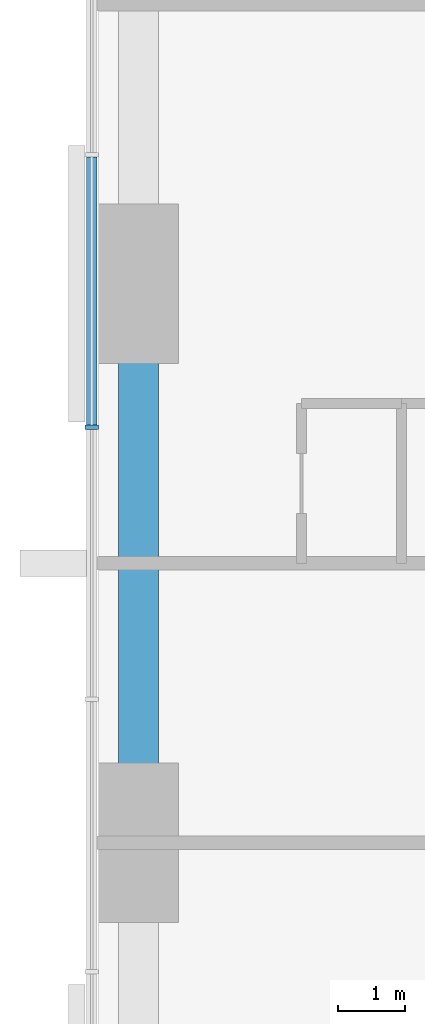
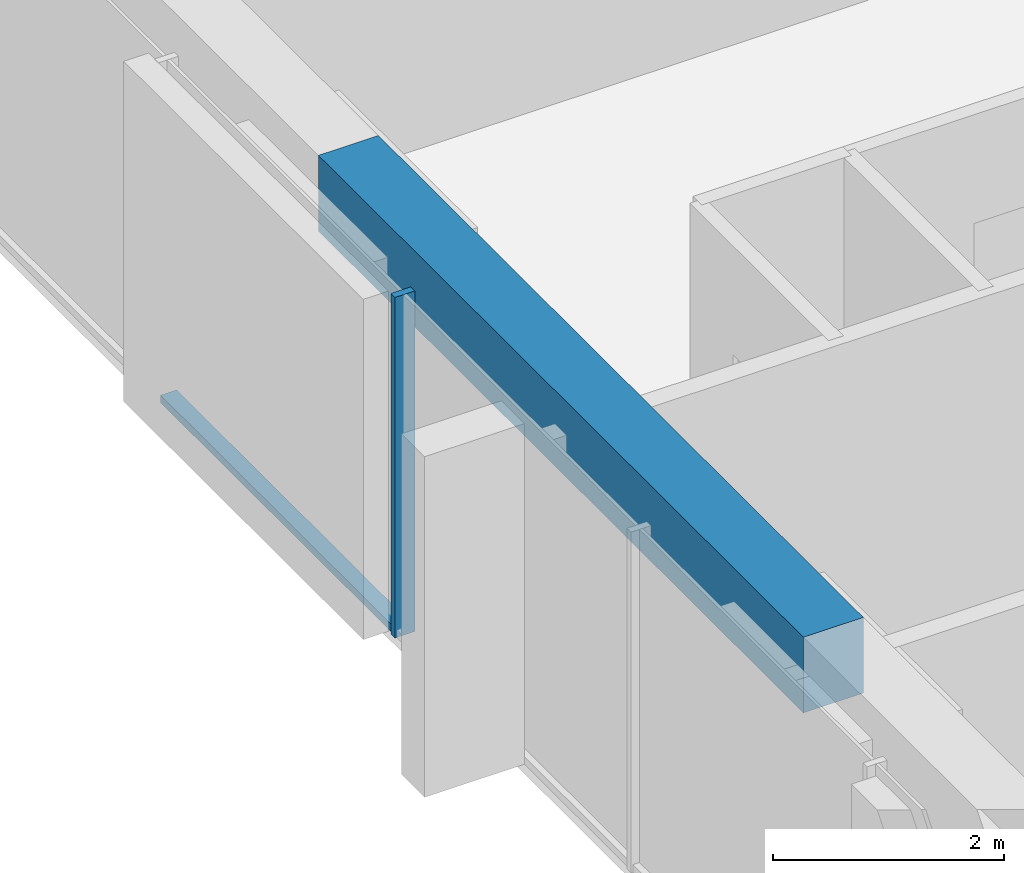
# One storey, part 3 of 14: 2 members, 1 beam, 1 element without a shape of its own.
"""IFC4 building model written with IfcOpenShell, lengths in metres."""

from ifc_helpers import new_model, si_unit, direction, frame, origin, origin_2d, place, context, subcontext, project, spatial, rectangle, extrude, material, material_profile, profile_set, type_object, element, aggregate, save


model = new_model("IFC4")

# Units and contexts
model_context = context("Model", 3, precision=1e-05, world=origin(), true_north=direction((0.0, 1.0)))
body_context = subcontext(model_context, "Body", "Model", "MODEL_VIEW")
ifc_project = project(units=[si_unit("LENGTHUNIT", "METRE"), si_unit("AREAUNIT", "SQUARE_METRE"), si_unit("VOLUMEUNIT", "CUBIC_METRE"), si_unit("PLANEANGLEUNIT", "RADIAN"), si_unit("MASSUNIT", "GRAM", prefix="KILO")], contexts=[model_context])

# Site, building, storey
site_placement = place(None, origin())
site = spatial("IfcSite", under=ifc_project, at=site_placement, CompositionType="ELEMENT")
building_placement = place(site_placement, origin())
building = spatial("IfcBuilding", under=site, at=building_placement, Name="Dunama Terrace Hotel", CompositionType="ELEMENT")
storey_placement = place(building_placement, frame((0.0, 0.0, 177.0)))
storey = spatial("IfcBuildingStorey", under=building, at=storey_placement, Name="L45", CompositionType="ELEMENT", Elevation=177.0)

# Curtain wall, members
ifc_material_1 = material(Name="Aluminium curtain wall system", Category="aluminium")
curtain_wall_type = type_object("IfcCurtainWallType", Name="Unitised fritted glass wall CW-C", PredefinedType="NOTDEFINED", material=ifc_material_1)
curtain_wall_placement = place(storey_placement, origin())
curtain_wall = element("IfcCurtainWall", 1, at=curtain_wall_placement, inside=storey, type_object=curtain_wall_type, Name="Unitised fritted glass wall CW-C L45", PredefinedType="NOTDEFINED")
ifc_material_2 = material(Name="Aluminium mullion", Category="aluminium")
ifc_material_profile_1 = material_profile(ifc_material_2, rectangle(XDim=0.070068359375, YDim=0.199951171875, at=origin_2d()), Name="CWC MULLION 70X200")
ifc_profile_set_1 = profile_set([ifc_material_profile_1], Name="Aluminium mullion")
member_type_1 = type_object("IfcMemberType", Name="CWC mullion 70x200", PredefinedType="MULLION", material=ifc_profile_set_1)
member_1_placement = place(storey_placement, frame((4.10009765625, 31.445068359375, 0.0), z_axis=(0.0, 0.0, 1.0), x_axis=(0.0, -1.0, 0.0)))
member_1 = element("IfcMember", 2, at=member_1_placement, type_object=member_type_1, Name="CWC mullion", PredefinedType="MULLION", context=body_context, shape_type="SweptSolid", body=[
    extrude(rectangle(XDim=0.070068359375, YDim=0.199951171875, at=origin_2d()), origin(), (0.0, 0.0, 1.0), 3.60009765625),
])
ifc_material_3 = material(Name="Aluminium transom", Category="aluminium")
ifc_material_profile_2 = material_profile(ifc_material_3, rectangle(XDim=0.159912109375, YDim=0.080078125, at=origin_2d()), Name="CWC TRANSOM 160X80")
ifc_profile_set_2 = profile_set([ifc_material_profile_2], Name="Aluminium transom")
member_type_2 = type_object("IfcMemberType", Name="CWC transom 160x80", PredefinedType="USERDEFINED", material=ifc_profile_set_2)
member_2_placement = place(storey_placement, frame((4.10009765625, 35.5009765625, 0.0400390625), z_axis=(0.0, -1.0, 0.0), x_axis=(1.0, 0.0, 0.0)))
member_2 = element("IfcMember", 3, at=member_2_placement, type_object=member_type_2, Name="CWC transom", ObjectType="TRANSOM", PredefinedType="USERDEFINED", context=body_context, shape_type="SweptSolid", body=[
    extrude(rectangle(XDim=0.159912109375, YDim=0.080078125, at=origin_2d()), origin(), (0.0, 0.0, 1.0), 4.02099609375),
])
aggregate(curtain_wall, [member_1, member_2])

# Beam
ifc_material_4 = material(Name="Concrete C40/50", Category="concrete")
ifc_material_profile_3 = material_profile(ifc_material_4, rectangle(XDim=0.60009765625, YDim=0.800048828125, at=origin_2d()), Name="RC 600x800")
ifc_profile_set_3 = profile_set([ifc_material_profile_3], Name="Concrete C40/50")
beam_type = type_object("IfcBeamType", Name="Edge beam RC 600x800", PredefinedType="SPANDREL", material=ifc_profile_set_3)
beam_placement = place(storey_placement, frame((4.800048828125, 25.199951171875, 3.199951171875), z_axis=(0.0, 1.0, 0.0), x_axis=(-1.0, 0.0, 0.0)))
element("IfcBeam", 4, at=beam_placement, inside=storey, type_object=beam_type, Name="Edge beam under L46", PredefinedType="SPANDREL", context=body_context, shape_type="SweptSolid", body=[
    extrude(rectangle(XDim=0.60009765625, YDim=0.800048828125, at=origin_2d()), origin(), (0.0, 0.0, 1.0), 8.400146484375),
])

save(model, "model.ifc")
